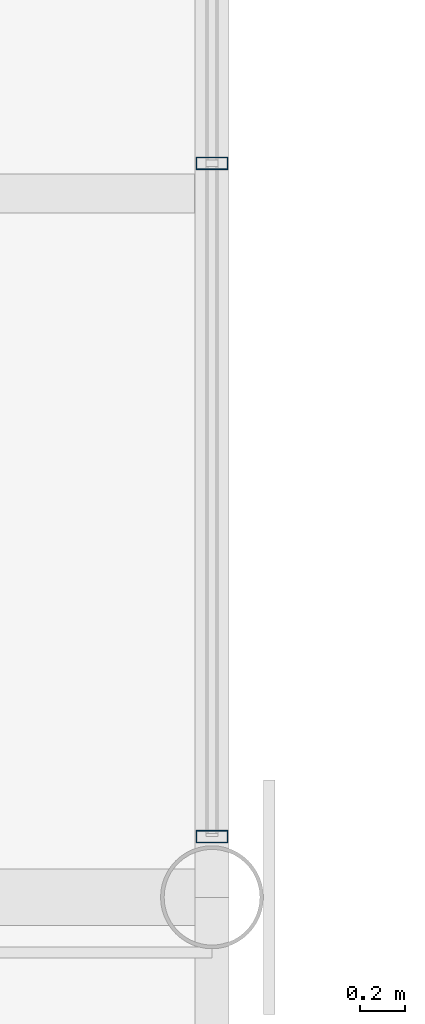
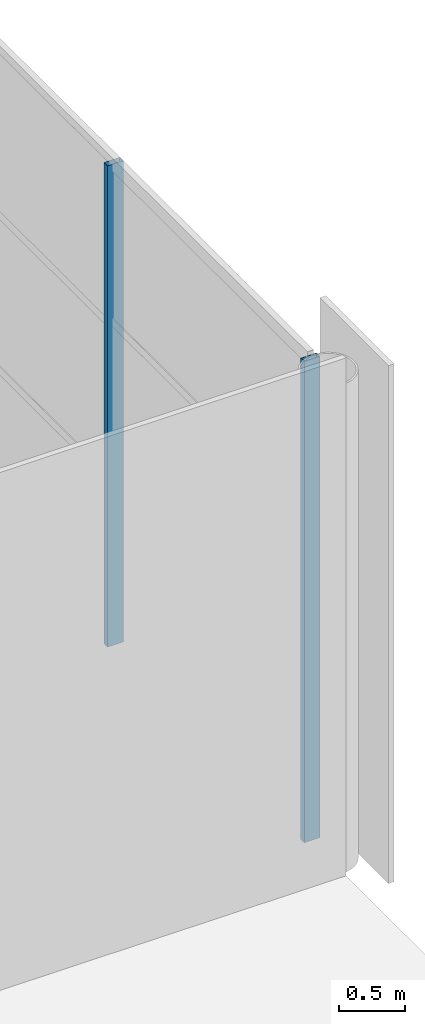
# One storey, part 38 of 101: 2 members, 1 element without a shape of its own.
"""IFC4 building model written with IfcOpenShell, lengths in metres."""

from ifc_helpers import new_model, si_unit, direction, frame, origin, origin_2d, place, context, subcontext, project, spatial, hollow_rectangle, extrude, material, material_profile, profile_set, type_object, element, aggregate, save


model = new_model("IFC4")

# Units and contexts
model_context = context("Model", 3, precision=1e-05, world=origin(), true_north=direction((0.0, 1.0)))
body_context = subcontext(model_context, "Body", "Model", "MODEL_VIEW")
ifc_project = project(units=[si_unit("LENGTHUNIT", "METRE"), si_unit("AREAUNIT", "SQUARE_METRE"), si_unit("VOLUMEUNIT", "CUBIC_METRE"), si_unit("PLANEANGLEUNIT", "RADIAN"), si_unit("MASSUNIT", "GRAM", prefix="KILO")], contexts=[model_context])

# Site, building, storey
site_placement = place(None, origin())
site = spatial("IfcSite", under=ifc_project, at=site_placement, CompositionType="ELEMENT")
building_placement = place(site_placement, origin())
building = spatial("IfcBuilding", under=site, at=building_placement, Name="Solvikara Media Centre", CompositionType="ELEMENT")
storey_placement = place(building_placement, frame((0.0, 0.0, 10.199951171875)))
storey = spatial("IfcBuildingStorey", under=building, at=storey_placement, Name="L02", CompositionType="ELEMENT", Elevation=10.199951171875)

# Curtain wall, members
ifc_material = material(Name="Anodised aluminium EN AW-6063", Category="aluminium")
curtain_wall_type = type_object("IfcCurtainWallType", Name="CW-08", PredefinedType="NOTDEFINED", material=ifc_material)
curtain_wall_placement = place(storey_placement, origin())
curtain_wall = element("IfcCurtainWall", 1, at=curtain_wall_placement, inside=storey, type_object=curtain_wall_type, Name="CW-L02-V3E-S1", PredefinedType="NOTDEFINED")
ifc_material_profile = material_profile(ifc_material, hollow_rectangle(XDim=0.054931640625, YDim=0.139892578125, WallThickness=0.0029296875, at=origin_2d()), Name="ALU-M 55x140x3")
ifc_profile_set = profile_set([ifc_material_profile], Name="Anodised aluminium EN AW-6063")
member_type = type_object("IfcMemberType", Name="MF-05", PredefinedType="MULLION", material=ifc_profile_set)
member_1_placement = place(storey_placement, frame((34.0, 89.26904296875, 0.02001953125), z_axis=(0.0, 0.0, 1.0), x_axis=(0.0, 1.0, 0.0)))
member_1 = element("IfcMember", 2, at=member_1_placement, type_object=member_type, Name="CW-L02-V3E-S1-M00", PredefinedType="MULLION", context=body_context, shape_type="SweptSolid", body=[
    extrude(hollow_rectangle(XDim=0.054931640625, YDim=0.139892578125, WallThickness=0.0029296875, at=origin_2d()), origin(), (0.0, 0.0, 1.0), 4.4599609375),
])
member_2_placement = place(storey_placement, frame((34.0, 92.259033203125, 0.02001953125), z_axis=(0.0, 0.0, 1.0), x_axis=(0.0, 1.0, 0.0)))
member_2 = element("IfcMember", 3, at=member_2_placement, type_object=member_type, Name="CW-L02-V3E-S1-M01", PredefinedType="MULLION", context=body_context, shape_type="SweptSolid", body=[
    extrude(hollow_rectangle(XDim=0.054931640625, YDim=0.139892578125, WallThickness=0.0029296875, at=origin_2d()), origin(), (0.0, 0.0, 1.0), 4.4599609375),
])
aggregate(curtain_wall, [member_1, member_2])

save(model, "model.ifc")
